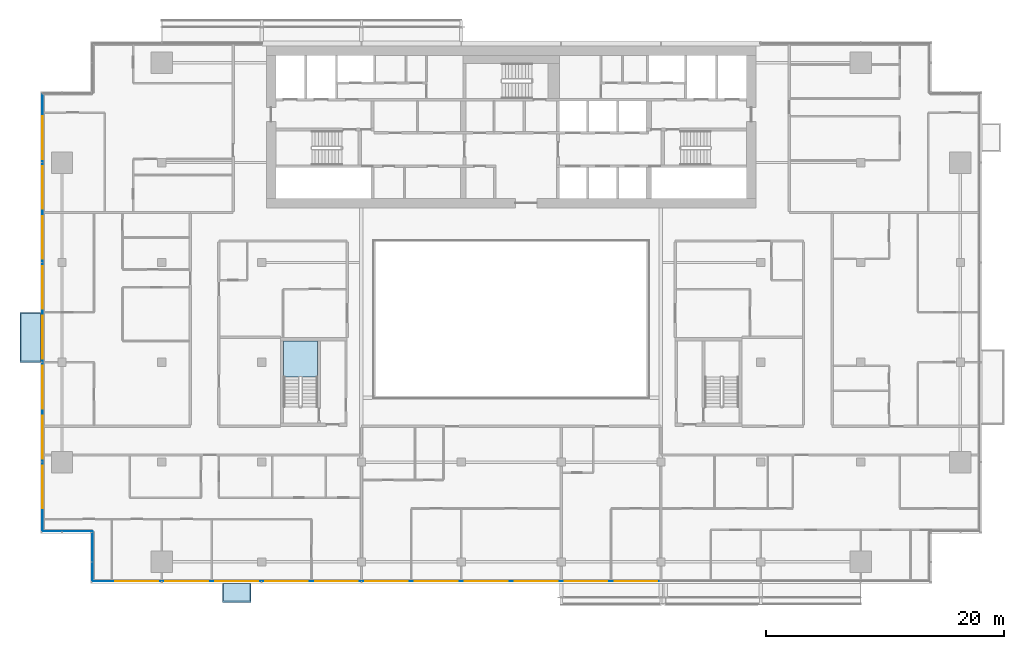
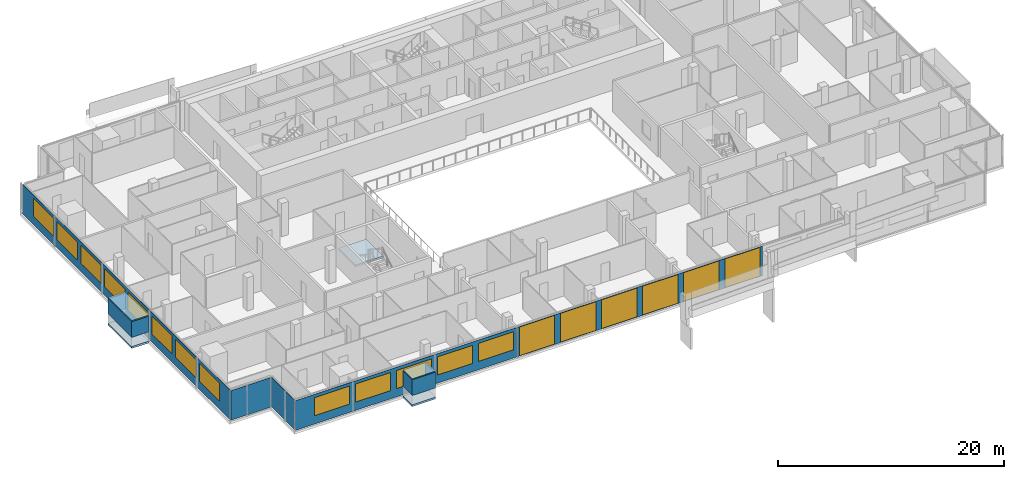
# One storey, part 14 of 28: 19 windows, 9 plates, 3 slabs, 19 openings, 5 elements without a shape of their own.
"""IFC4 building model written with IfcOpenShell, lengths in metres."""

import ifcopenshell
import ifcopenshell.guid

model = None  # the IFC model being written
_history = None  # IfcOwnerHistory: only IFC2X3 demands one
_inside = {}  # id of a spatial element -> (the spatial element, [elements in it])
_under = {}  # id of a project, library or spatial element -> (it, [spatial elements below it])
_declared = {}  # id of a project -> (the project, [libraries it declares])
_typed = {}  # id of a type object -> (the type object, [elements of that type])
_made_of = {}  # id of a material, layer set ... -> (it, [elements and type objects made of it])


def new_model(schema):
    """Start an empty IFC model of exactly this schema.

    Asked for "IFC4X3", IfcOpenShell would pick the latest addendum, in which some entities
    have other attributes; the version numbers below select the first issue.
    IFC2X3 requires an IfcOwnerHistory on every rooted entity: one is made here for all.
    """
    global model, _history
    if schema == "IFC4X3":
        model = ifcopenshell.file(schema_version=(4, 3, 0, 0))
    else:
        model = ifcopenshell.file(schema=schema)
    _inside.clear()
    _under.clear()
    _declared.clear()
    _typed.clear()
    _made_of.clear()
    _history = None
    if model.schema == "IFC2X3":
        org = make("IfcOrganization", Name="unknown")
        user = make(
            "IfcPersonAndOrganization",
            ThePerson=make("IfcPerson", FamilyName="unknown"),
            TheOrganization=org,
        )
        app = make(
            "IfcApplication",
            ApplicationDeveloper=org,
            Version="unknown",
            ApplicationFullName="unknown",
            ApplicationIdentifier="unknown",
        )
        _history = make(
            "IfcOwnerHistory",
            OwningUser=user,
            OwningApplication=app,
            ChangeAction="ADDED",
            CreationDate=0,
        )
    return model


def make(cls, **values):
    """One entity of the class cls with the attributes given. An attribute that is None is left unset."""
    return model.create_entity(
        cls, **{name: value for name, value in values.items() if value is not None}
    )


def rooted(cls, **values):
    """An entity with a GlobalId (a new one), such as an element, a storey or a relation."""
    return make(cls, GlobalId=ifcopenshell.guid.new(), OwnerHistory=_history, **values)


def si_unit(unit_type, name, prefix=None):
    """IfcSIUnit, for example si_unit("LENGTHUNIT", "METRE", prefix="MILLI")."""
    return make("IfcSIUnit", UnitType=unit_type, Prefix=prefix, Name=name)


def assignment(units):
    """IfcUnitAssignment: the units of a project."""
    return None if units is None else make("IfcUnitAssignment", Units=units)


def point(xyz):
    """IfcCartesianPoint."""
    return None if xyz is None else make("IfcCartesianPoint", Coordinates=xyz)


def direction(xyz):
    """IfcDirection."""
    return None if xyz is None else make("IfcDirection", DirectionRatios=xyz)


def frame(location, z_axis=None, x_axis=None):
    """IfcAxis2Placement3D, a coordinate frame: its origin and axes. An axis left out is left unset."""
    return make(
        "IfcAxis2Placement3D",
        Location=point(location),
        Axis=direction(z_axis),
        RefDirection=direction(x_axis),
    )


def frame_2d(location, x_axis=None):
    """IfcAxis2Placement2D, a coordinate frame in the plane: its origin and x axis."""
    return make(
        "IfcAxis2Placement2D", Location=point(location), RefDirection=direction(x_axis)
    )


def origin():
    """The frame at (0, 0, 0) with its axes left unset."""
    return frame((0.0, 0.0, 0.0))


def place(relative_to, where):
    """IfcLocalPlacement: puts the frame where relative to a parent placement (None: the world)."""
    return make(
        "IfcLocalPlacement", PlacementRelTo=relative_to, RelativePlacement=where
    )


def context(
    kind, dimensions, precision=None, world=None, true_north=None, identifier=None
):
    """IfcGeometricRepresentationContext, for example the 3D "Model" context."""
    return make(
        "IfcGeometricRepresentationContext",
        ContextIdentifier=identifier,
        ContextType=kind,
        CoordinateSpaceDimension=dimensions,
        Precision=precision,
        WorldCoordinateSystem=world,
        TrueNorth=true_north,
    )


def subcontext(parent, identifier, kind, view, scale=None):
    """IfcGeometricRepresentationSubContext, for example "Body" below "Model"."""
    return make(
        "IfcGeometricRepresentationSubContext",
        ContextIdentifier=identifier,
        ContextType=kind,
        ParentContext=parent,
        TargetScale=scale,
        TargetView=view,
    )


def project(units=None, contexts=None):
    """IfcProject with its units and contexts."""
    return rooted(
        "IfcProject",
        Name="project",
        RepresentationContexts=contexts,
        UnitsInContext=assignment(units),
    )


def spatial(cls, under=None, at=None, **own):
    """A site, building, storey or space (cls), placed at a placement, below another one or the project."""
    s = rooted(cls, ObjectPlacement=at, **own)
    if under is not None:
        _under.setdefault(under.id(), (under, []))[1].append(s)
    return s


def polyline(points):
    """IfcPolyline through the points."""
    return make("IfcPolyline", Points=[point(p) for p in points])


def profile(cls, at=None, kind="AREA", **sizes):
    """A parametric profile (cls). Its sizes go by their IFC names, for example OverallWidth=200.0."""
    return make(cls, ProfileType=kind, Position=at, **sizes)


def rectangle(**sizes):
    """IfcRectangleProfileDef."""
    return profile("IfcRectangleProfileDef", **sizes)


def outline(outer, holes=None, kind="AREA"):
    """IfcArbitraryClosedProfileDef: a profile drawn as a closed curve; with holes, ...WithVoids."""
    if holes is None:
        return make("IfcArbitraryClosedProfileDef", ProfileType=kind, OuterCurve=outer)
    return make(
        "IfcArbitraryProfileDefWithVoids",
        ProfileType=kind,
        OuterCurve=outer,
        InnerCurves=holes,
    )


def extrude(swept, where, along, depth):
    """IfcExtrudedAreaSolid: the profile swept, set in the frame where, extruded along a direction by depth."""
    return make(
        "IfcExtrudedAreaSolid",
        SweptArea=swept,
        Position=where,
        ExtrudedDirection=direction(along),
        Depth=depth,
    )


def shape(context_of_items, identifier, shape_type, items):
    """IfcShapeRepresentation: the items that make up one representation, for example the "Body"."""
    return make(
        "IfcShapeRepresentation",
        ContextOfItems=context_of_items,
        RepresentationIdentifier=identifier,
        RepresentationType=shape_type,
        Items=items,
    )


def material(Name=None, Category=None):
    """IfcMaterial."""
    return make("IfcMaterial", Name=Name, Category=Category)


def layer(
    of_material, thickness, ventilated=None, Name=None, Category=None, Priority=None
):
    """IfcMaterialLayer: one layer of a wall or slab, of a material (None: an air gap)."""
    return make(
        "IfcMaterialLayer",
        Material=of_material,
        LayerThickness=thickness,
        IsVentilated=ventilated,
        Name=Name,
        Category=Category,
        Priority=Priority,
    )


def layer_set(layers, Name=None):
    """IfcMaterialLayerSet."""
    return make("IfcMaterialLayerSet", MaterialLayers=layers, LayerSetName=Name)


def made_of(thing, what):
    """Note that an element or type object is made of a material, layer set ...; save() writes the relation."""
    if what is not None:
        _made_of.setdefault(what.id(), (what, []))[1].append(thing)
    return thing


def type_object(cls, material=None, **own):
    """A type object (cls), such as IfcWallType, which elements share."""
    return made_of(rooted(cls, **own), material)


def element(
    cls,
    number,
    at=None,
    inside=None,
    cuts=None,
    type_object=None,
    material=None,
    context=None,
    identifier="Body",
    shape_type=None,
    held_by="IfcProductDefinitionShape",
    body=None,
    shapes=None,
    **own,
):
    """One element of the class cls, such as IfcWall. Its Tag is "e" and its number.

    at: its placement. inside: the storey or other place that contains it. cuts: it is an
    opening in that element (IfcRelVoidsElement). A single representation is given by context,
    identifier, shape_type and body (its items); several are given by shapes. held_by: the class
    of the entity that holds the representations. save() writes the other relations.
    """
    e = rooted(cls, Tag="e%d" % number, ObjectPlacement=at, **own)
    if body is not None:
        shapes = [shape(context, identifier, shape_type, body)]
    if shapes is not None:
        e.Representation = make(held_by, Representations=shapes)
    if inside is not None:
        _inside.setdefault(inside.id(), (inside, []))[1].append(e)
    if cuts is not None:
        rooted(
            "IfcRelVoidsElement", RelatingBuildingElement=cuts, RelatedOpeningElement=e
        )
    if type_object is not None:
        _typed.setdefault(type_object.id(), (type_object, []))[1].append(e)
    return made_of(e, material)


def fill(opening, filler):
    """IfcRelFillsElement: the door or window that sits in an opening."""
    return rooted(
        "IfcRelFillsElement",
        RelatingOpeningElement=opening,
        RelatedBuildingElement=filler,
    )


def aggregate(whole, parts):
    """IfcRelAggregates: a whole, such as a stair, and the parts it consists of."""
    return rooted("IfcRelAggregates", RelatingObject=whole, RelatedObjects=parts)


def save(model, path):
    """Write the relations noted so far, then the file.

    IfcRelAggregates (storeys below a building ...), IfcRelContainedInSpatialStructure (elements
    in a storey), IfcRelDefinesByType, IfcRelAssociatesMaterial and IfcRelDeclares: one each for
    every whole, place, type object, material and project.
    """
    for whole, parts in _under.values():
        aggregate(whole, parts)
    for where, things in _inside.values():
        rooted(
            "IfcRelContainedInSpatialStructure",
            RelatedElements=things,
            RelatingStructure=where,
        )
    for kind, things in _typed.values():
        rooted("IfcRelDefinesByType", RelatedObjects=things, RelatingType=kind)
    for what, things in _made_of.values():
        rooted("IfcRelAssociatesMaterial", RelatedObjects=things, RelatingMaterial=what)
    for by, libraries in _declared.values():
        rooted("IfcRelDeclares", RelatingContext=by, RelatedDefinitions=libraries)
    model.write(path)


model = new_model("IFC4")

# Units and contexts
model_context = context("Model", 3, precision=1e-05, world=origin(), true_north=direction((0.0, 1.0)))
body_context = subcontext(model_context, "Body", "Model", "MODEL_VIEW")
ifc_project = project(units=[si_unit("LENGTHUNIT", "METRE"), si_unit("AREAUNIT", "SQUARE_METRE"), si_unit("VOLUMEUNIT", "CUBIC_METRE"), si_unit("PLANEANGLEUNIT", "RADIAN"), si_unit("MASSUNIT", "GRAM", prefix="KILO")], contexts=[model_context])

# Site, building, storey
site_placement = place(None, origin())
site = spatial("IfcSite", under=ifc_project, at=site_placement, CompositionType="ELEMENT")
building_placement = place(site_placement, origin())
building = spatial("IfcBuilding", under=site, at=building_placement, Name="Saffron Gate Tower", CompositionType="ELEMENT")
storey_placement = place(building_placement, frame((0.0, 0.0, 176.25)))
storey = spatial("IfcBuildingStorey", under=building, at=storey_placement, Name="L43", CompositionType="ELEMENT", Elevation=176.25)

# Curtain wall, plates, openings, windows
ifc_material_1 = material(Name="Aluminium, bronze anodised", Category="aluminium")
curtain_wall_type_1 = type_object("IfcCurtainWallType", Name="CWS1 curtain wall front facade", PredefinedType="NOTDEFINED", material=ifc_material_1)
curtain_wall_1_placement = place(storey_placement, origin())
curtain_wall_1 = element("IfcCurtainWall", 1, at=curtain_wall_1_placement, inside=storey, type_object=curtain_wall_type_1, Name="CWS1 run 1", PredefinedType="NOTDEFINED")
ifc_material_2 = material(Name="Clear low-iron laminated glass", Category="glass")
ifc_layer_1 = layer(ifc_material_2, 0.028076171875)
ifc_layer_set_1 = layer_set([ifc_layer_1], Name="CWS1 clear glass")
plate_type_1 = type_object("IfcPlateType", Name="CWS1 clear glass", PredefinedType="CURTAIN_PANEL", material=ifc_layer_set_1)
plate_1_placement = place(storey_placement, frame((75.030029296875, 30.174072265625, 0.0), z_axis=(0.0, 0.0, 1.0), x_axis=(1.0, 0.0, 0.0)))
plate_1 = element("IfcPlate", 2, at=plate_1_placement, type_object=plate_type_1, Name="CWS1 clear glass panel", PredefinedType="CURTAIN_PANEL", context=body_context, shape_type="SweptSolid", body=[
    extrude(rectangle(XDim=25.139892578125, YDim=0.028076171875, at=frame_2d((12.56982421875, 0.0))), origin(), (0.0, 0.0, 1.0), 3.199951171875),
])
opening_1_placement = place(plate_1_placement, frame((0.27001953125, 0.0, 0.050048828125)))
opening_1 = element("IfcOpeningElement", 3, at=opening_1_placement, cuts=plate_1, Name="Opening WA", PredefinedType="OPENING", context=body_context, shape_type="SweptSolid", body=[
    extrude(rectangle(XDim=3.60009765625, YDim=3.10009765625, at=frame_2d((1.800048828125, 1.550048828125))), frame((0.0, 0.02392578125, 0.0), z_axis=(0.0, -1.0, 0.0), x_axis=(1.0, 0.0, 0.0)), (0.0, 0.0, 1.0), 0.048095703125),
])
opening_2_placement = place(plate_1_placement, frame((4.469970703125, 0.0, 0.050048828125)))
opening_2 = element("IfcOpeningElement", 4, at=opening_2_placement, cuts=plate_1, Name="Opening WA", PredefinedType="OPENING", context=body_context, shape_type="SweptSolid", body=[
    extrude(rectangle(XDim=3.60009765625, YDim=3.10009765625, at=frame_2d((1.800048828125, 1.550048828125))), frame((0.0, 0.02392578125, 0.0), z_axis=(0.0, -1.0, 0.0), x_axis=(1.0, 0.0, 0.0)), (0.0, 0.0, 1.0), 0.048095703125),
])
opening_3_placement = place(plate_1_placement, frame((8.669921875, 0.0, 0.050048828125)))
opening_3 = element("IfcOpeningElement", 5, at=opening_3_placement, cuts=plate_1, Name="Opening WA", PredefinedType="OPENING", context=body_context, shape_type="SweptSolid", body=[
    extrude(rectangle(XDim=3.60009765625, YDim=3.10009765625, at=frame_2d((1.800048828125, 1.550048828125))), frame((0.0, 0.02392578125, 0.0), z_axis=(0.0, -1.0, 0.0), x_axis=(1.0, 0.0, 0.0)), (0.0, 0.0, 1.0), 0.048095703125),
])
opening_4_placement = place(plate_1_placement, frame((12.8701171875, 0.0, 0.050048828125)))
opening_4 = element("IfcOpeningElement", 6, at=opening_4_placement, cuts=plate_1, Name="Opening WA", PredefinedType="OPENING", context=body_context, shape_type="SweptSolid", body=[
    extrude(rectangle(XDim=3.60009765625, YDim=3.10009765625, at=frame_2d((1.800048828125, 1.550048828125))), frame((0.0, 0.02392578125, 0.0), z_axis=(0.0, -1.0, 0.0), x_axis=(1.0, 0.0, 0.0)), (0.0, 0.0, 1.0), 0.048095703125),
])
opening_5_placement = place(plate_1_placement, frame((17.070068359375, 0.0, 0.050048828125)))
opening_5 = element("IfcOpeningElement", 7, at=opening_5_placement, cuts=plate_1, Name="Opening WA", PredefinedType="OPENING", context=body_context, shape_type="SweptSolid", body=[
    extrude(rectangle(XDim=3.60009765625, YDim=3.10009765625, at=frame_2d((1.800048828125, 1.550048828125))), frame((0.0, 0.02392578125, 0.0), z_axis=(0.0, -1.0, 0.0), x_axis=(1.0, 0.0, 0.0)), (0.0, 0.0, 1.0), 0.048095703125),
])
opening_6_placement = place(plate_1_placement, frame((21.27001953125, 0.0, 0.050048828125)))
opening_6 = element("IfcOpeningElement", 8, at=opening_6_placement, cuts=plate_1, Name="Opening WA", PredefinedType="OPENING", context=body_context, shape_type="SweptSolid", body=[
    extrude(rectangle(XDim=3.60009765625, YDim=3.10009765625, at=frame_2d((1.800048828125, 1.550048828125))), frame((0.0, 0.02392578125, 0.0), z_axis=(0.0, -1.0, 0.0), x_axis=(1.0, 0.0, 0.0)), (0.0, 0.0, 1.0), 0.048095703125),
])
ifc_material_3 = material(Name="Clear low-iron laminated glass in bronze frame", Category="glass")
ifc_layer_2 = layer(ifc_material_3, 0.06005859375)
ifc_layer_set_2 = layer_set([ifc_layer_2], Name="WA operable atrium unit 3600x3100")
window_type_1 = type_object("IfcWindowType", Name="WA operable atrium unit 3600x3100", PartitioningType="DOUBLE_PANEL_HORIZONTAL", PredefinedType="WINDOW", material=ifc_layer_set_2)
window_1_placement = place(opening_1_placement, origin())
window_1 = element("IfcWindow", 9, at=window_1_placement, type_object=window_type_1, Name="WA operable atrium unit", OverallHeight=3.10009765625, OverallWidth=3.60009765625, PartitioningType="SINGLE_PANEL", PredefinedType="WINDOW", context=body_context, shape_type="SweptSolid", body=[
    extrude(rectangle(XDim=3.60009765625, YDim=3.10009765625, at=frame_2d((1.800048828125, 1.550048828125))), frame((0.0, 0.013671875, 0.0), z_axis=(0.0, -1.0, 0.0), x_axis=(1.0, 0.0, 0.0)), (0.0, 0.0, 1.0), 0.027587890625),
])
fill(opening_1, window_1)
window_2_placement = place(opening_2_placement, origin())
window_2 = element("IfcWindow", 10, at=window_2_placement, type_object=window_type_1, Name="WA operable atrium unit", OverallHeight=3.10009765625, OverallWidth=3.60009765625, PartitioningType="SINGLE_PANEL", PredefinedType="WINDOW", context=body_context, shape_type="SweptSolid", body=[
    extrude(rectangle(XDim=3.60009765625, YDim=3.10009765625, at=frame_2d((1.800048828125, 1.550048828125))), frame((0.0, 0.013671875, 0.0), z_axis=(0.0, -1.0, 0.0), x_axis=(1.0, 0.0, 0.0)), (0.0, 0.0, 1.0), 0.027587890625),
])
fill(opening_2, window_2)
window_3_placement = place(opening_3_placement, origin())
window_3 = element("IfcWindow", 11, at=window_3_placement, type_object=window_type_1, Name="WA operable atrium unit", OverallHeight=3.10009765625, OverallWidth=3.60009765625, PartitioningType="SINGLE_PANEL", PredefinedType="WINDOW", context=body_context, shape_type="SweptSolid", body=[
    extrude(rectangle(XDim=3.60009765625, YDim=3.10009765625, at=frame_2d((1.800048828125, 1.550048828125))), frame((0.0, 0.013671875, 0.0), z_axis=(0.0, -1.0, 0.0), x_axis=(1.0, 0.0, 0.0)), (0.0, 0.0, 1.0), 0.027587890625),
])
fill(opening_3, window_3)
window_4_placement = place(opening_4_placement, origin())
window_4 = element("IfcWindow", 12, at=window_4_placement, type_object=window_type_1, Name="WA operable atrium unit", OverallHeight=3.10009765625, OverallWidth=3.60009765625, PartitioningType="SINGLE_PANEL", PredefinedType="WINDOW", context=body_context, shape_type="SweptSolid", body=[
    extrude(rectangle(XDim=3.60009765625, YDim=3.10009765625, at=frame_2d((1.800048828125, 1.550048828125))), frame((0.0, 0.013671875, 0.0), z_axis=(0.0, -1.0, 0.0), x_axis=(1.0, 0.0, 0.0)), (0.0, 0.0, 1.0), 0.027587890625),
])
fill(opening_4, window_4)
window_5_placement = place(opening_5_placement, origin())
window_5 = element("IfcWindow", 13, at=window_5_placement, type_object=window_type_1, Name="WA operable atrium unit", OverallHeight=3.10009765625, OverallWidth=3.60009765625, PartitioningType="SINGLE_PANEL", PredefinedType="WINDOW", context=body_context, shape_type="SweptSolid", body=[
    extrude(rectangle(XDim=3.60009765625, YDim=3.10009765625, at=frame_2d((1.800048828125, 1.550048828125))), frame((0.0, 0.013671875, 0.0), z_axis=(0.0, -1.0, 0.0), x_axis=(1.0, 0.0, 0.0)), (0.0, 0.0, 1.0), 0.027587890625),
])
fill(opening_5, window_5)
window_6_placement = place(opening_6_placement, origin())
window_6 = element("IfcWindow", 14, at=window_6_placement, type_object=window_type_1, Name="WA operable atrium unit", OverallHeight=3.10009765625, OverallWidth=3.60009765625, PartitioningType="SINGLE_PANEL", PredefinedType="WINDOW", context=body_context, shape_type="SweptSolid", body=[
    extrude(rectangle(XDim=3.60009765625, YDim=3.10009765625, at=frame_2d((1.800048828125, 1.550048828125))), frame((0.0, 0.013671875, 0.0), z_axis=(0.0, -1.0, 0.0), x_axis=(1.0, 0.0, 0.0)), (0.0, 0.0, 1.0), 0.027587890625),
])
fill(opening_6, window_6)
ifc_material_4 = material(Name="Fritted bronze-tinted laminated glass", Category="glass")
ifc_layer_3 = layer(ifc_material_4, 0.028076171875)
ifc_layer_set_3 = layer_set([ifc_layer_3], Name="CWS1 fixed glass")
plate_type_2 = type_object("IfcPlateType", Name="CWS1 fixed glass", PredefinedType="CURTAIN_PANEL", material=ifc_layer_set_3)
plate_2_placement = place(storey_placement, frame((52.387939453125, 30.174072265625, 0.0), z_axis=(0.0, 0.0, 1.0), x_axis=(1.0, 0.0, 0.0)))
plate_2 = element("IfcPlate", 15, at=plate_2_placement, type_object=plate_type_2, Name="CWS1 glass panel", PredefinedType="CURTAIN_PANEL", context=body_context, shape_type="SweptSolid", body=[
    extrude(rectangle(XDim=22.64208984375, YDim=0.028076171875, at=frame_2d((11.321044921875, 0.0))), origin(), (0.0, 0.0, 1.0), 3.199951171875),
])
opening_7_placement = place(plate_2_placement, frame((1.912109375, 0.0, 0.89990234375)))
opening_7 = element("IfcOpeningElement", 16, at=opening_7_placement, cuts=plate_2, Name="Opening W1", PredefinedType="OPENING", context=body_context, shape_type="SweptSolid", body=[
    extrude(rectangle(XDim=3.60009765625, YDim=1.949951171875, at=frame_2d((1.800048828125, 0.97509765625))), frame((0.0, 0.02392578125, 0.0), z_axis=(0.0, -1.0, 0.0), x_axis=(1.0, 0.0, 0.0)), (0.0, 0.0, 1.0), 0.048095703125),
])
opening_8_placement = place(plate_2_placement, frame((6.112060546875, 0.0, 0.89990234375)))
opening_8 = element("IfcOpeningElement", 17, at=opening_8_placement, cuts=plate_2, Name="Opening W1", PredefinedType="OPENING", context=body_context, shape_type="SweptSolid", body=[
    extrude(rectangle(XDim=3.60009765625, YDim=1.949951171875, at=frame_2d((1.800048828125, 0.97509765625))), frame((0.0, 0.02392578125, 0.0), z_axis=(0.0, -1.0, 0.0), x_axis=(1.0, 0.0, 0.0)), (0.0, 0.0, 1.0), 0.048095703125),
])
opening_9_placement = place(plate_2_placement, frame((10.31201171875, 0.0, 0.89990234375)))
opening_9 = element("IfcOpeningElement", 18, at=opening_9_placement, cuts=plate_2, Name="Opening W1", PredefinedType="OPENING", context=body_context, shape_type="SweptSolid", body=[
    extrude(rectangle(XDim=3.60009765625, YDim=1.949951171875, at=frame_2d((1.800048828125, 0.97509765625))), frame((0.0, 0.02392578125, 0.0), z_axis=(0.0, -1.0, 0.0), x_axis=(1.0, 0.0, 0.0)), (0.0, 0.0, 1.0), 0.048095703125),
])
opening_10_placement = place(plate_2_placement, frame((14.511962890625, 0.0, 0.89990234375)))
opening_10 = element("IfcOpeningElement", 19, at=opening_10_placement, cuts=plate_2, Name="Opening W1", PredefinedType="OPENING", context=body_context, shape_type="SweptSolid", body=[
    extrude(rectangle(XDim=3.60009765625, YDim=1.949951171875, at=frame_2d((1.800048828125, 0.97509765625))), frame((0.0, 0.02392578125, 0.0), z_axis=(0.0, -1.0, 0.0), x_axis=(1.0, 0.0, 0.0)), (0.0, 0.0, 1.0), 0.048095703125),
])
opening_11_placement = place(plate_2_placement, frame((18.7119140625, 0.0, 0.89990234375)))
opening_11 = element("IfcOpeningElement", 20, at=opening_11_placement, cuts=plate_2, Name="Opening W1", PredefinedType="OPENING", context=body_context, shape_type="SweptSolid", body=[
    extrude(rectangle(XDim=3.60009765625, YDim=1.949951171875, at=frame_2d((1.800048828125, 0.97509765625))), frame((0.0, 0.02392578125, 0.0), z_axis=(0.0, -1.0, 0.0), x_axis=(1.0, 0.0, 0.0)), (0.0, 0.0, 1.0), 0.048095703125),
])
ifc_material_5 = material(Name="Fritted bronze-tinted laminated glass in bronze frame", Category="glass")
ifc_layer_4 = layer(ifc_material_5, 0.06005859375)
ifc_layer_set_4 = layer_set([ifc_layer_4], Name="W1 operable panel 3600x1950")
window_type_2 = type_object("IfcWindowType", Name="W1 operable panel 3600x1950", PartitioningType="DOUBLE_PANEL_HORIZONTAL", PredefinedType="WINDOW", material=ifc_layer_set_4)
window_7_placement = place(opening_7_placement, origin())
window_7 = element("IfcWindow", 21, at=window_7_placement, type_object=window_type_2, Name="W1 operable panel", OverallHeight=1.949951171875, OverallWidth=3.60009765625, PartitioningType="SINGLE_PANEL", PredefinedType="WINDOW", context=body_context, shape_type="SweptSolid", body=[
    extrude(rectangle(XDim=3.60009765625, YDim=1.949951171875, at=frame_2d((1.800048828125, 0.97509765625))), frame((0.0, 0.013671875, 0.0), z_axis=(0.0, -1.0, 0.0), x_axis=(1.0, 0.0, 0.0)), (0.0, 0.0, 1.0), 0.027587890625),
])
fill(opening_7, window_7)
window_8_placement = place(opening_8_placement, origin())
window_8 = element("IfcWindow", 22, at=window_8_placement, type_object=window_type_2, Name="W1 operable panel", OverallHeight=1.949951171875, OverallWidth=3.60009765625, PartitioningType="SINGLE_PANEL", PredefinedType="WINDOW", context=body_context, shape_type="SweptSolid", body=[
    extrude(rectangle(XDim=3.60009765625, YDim=1.949951171875, at=frame_2d((1.800048828125, 0.97509765625))), frame((0.0, 0.013671875, 0.0), z_axis=(0.0, -1.0, 0.0), x_axis=(1.0, 0.0, 0.0)), (0.0, 0.0, 1.0), 0.027587890625),
])
fill(opening_8, window_8)
window_9_placement = place(opening_9_placement, origin())
window_9 = element("IfcWindow", 23, at=window_9_placement, type_object=window_type_2, Name="W1 operable panel", OverallHeight=1.949951171875, OverallWidth=3.60009765625, PartitioningType="SINGLE_PANEL", PredefinedType="WINDOW", context=body_context, shape_type="SweptSolid", body=[
    extrude(rectangle(XDim=3.60009765625, YDim=1.949951171875, at=frame_2d((1.800048828125, 0.97509765625))), frame((0.0, 0.013671875, 0.0), z_axis=(0.0, -1.0, 0.0), x_axis=(1.0, 0.0, 0.0)), (0.0, 0.0, 1.0), 0.027587890625),
])
fill(opening_9, window_9)
window_10_placement = place(opening_10_placement, origin())
window_10 = element("IfcWindow", 24, at=window_10_placement, type_object=window_type_2, Name="W1 operable panel", OverallHeight=1.949951171875, OverallWidth=3.60009765625, PartitioningType="SINGLE_PANEL", PredefinedType="WINDOW", context=body_context, shape_type="SweptSolid", body=[
    extrude(rectangle(XDim=3.60009765625, YDim=1.949951171875, at=frame_2d((1.800048828125, 0.97509765625))), frame((0.0, 0.013671875, 0.0), z_axis=(0.0, -1.0, 0.0), x_axis=(1.0, 0.0, 0.0)), (0.0, 0.0, 1.0), 0.027587890625),
])
fill(opening_10, window_10)
window_11_placement = place(opening_11_placement, origin())
window_11 = element("IfcWindow", 25, at=window_11_placement, type_object=window_type_2, Name="W1 operable panel", OverallHeight=1.949951171875, OverallWidth=3.60009765625, PartitioningType="SINGLE_PANEL", PredefinedType="WINDOW", context=body_context, shape_type="SweptSolid", body=[
    extrude(rectangle(XDim=3.60009765625, YDim=1.949951171875, at=frame_2d((1.800048828125, 0.97509765625))), frame((0.0, 0.013671875, 0.0), z_axis=(0.0, -1.0, 0.0), x_axis=(1.0, 0.0, 0.0)), (0.0, 0.0, 1.0), 0.027587890625),
])
fill(opening_11, window_11)
aggregate(curtain_wall_1, [plate_2, plate_1, window_7, window_8, window_9, window_10, window_11, window_1, window_2, window_3, window_4, window_5, window_6])

# Curtain wall, plate, openings, windows
curtain_wall_type_2 = type_object("IfcCurtainWallType", Name="CWS2 curtain wall side facades", PredefinedType="NOTDEFINED", material=ifc_material_1)
curtain_wall_2_placement = place(storey_placement, origin())
curtain_wall_2 = element("IfcCurtainWall", 26, at=curtain_wall_2_placement, inside=storey, type_object=curtain_wall_type_2, Name="CWS2 run 10", PredefinedType="NOTDEFINED")
ifc_layer_5 = layer(ifc_material_4, 0.028076171875)
ifc_layer_set_5 = layer_set([ifc_layer_5], Name="CWS2 fixed glass")
plate_type_3 = type_object("IfcPlateType", Name="CWS2 fixed glass", PredefinedType="CURTAIN_PANEL", material=ifc_layer_set_5)
plate_3_placement = place(storey_placement, frame((48.174072265625, 71.2119140625, 0.0), z_axis=(0.0, 0.0, 1.0), x_axis=(0.0, -1.0, 0.0)))
plate_3 = element("IfcPlate", 27, at=plate_3_placement, type_object=plate_type_3, Name="CWS2 glass panel", PredefinedType="CURTAIN_PANEL", context=body_context, shape_type="SweptSolid", body=[
    extrude(rectangle(XDim=36.823974609375, YDim=0.028076171875, at=frame_2d((18.412109375, 0.0))), origin(), (0.0, 0.0, 1.0), 3.199951171875),
])
opening_12_placement = place(plate_3_placement, frame((1.912109375, 0.0, 0.89990234375)))
opening_12 = element("IfcOpeningElement", 28, at=opening_12_placement, cuts=plate_3, Name="Opening W1", PredefinedType="OPENING", context=body_context, shape_type="SweptSolid", body=[
    extrude(rectangle(XDim=3.60009765625, YDim=1.949951171875, at=frame_2d((1.800048828125, 0.97509765625))), frame((0.0, 0.02392578125, 0.0), z_axis=(0.0, -1.0, 0.0), x_axis=(1.0, 0.0, 0.0)), (0.0, 0.0, 1.0), 0.048095703125),
])
opening_13_placement = place(plate_3_placement, frame((6.112060546875, 0.0, 0.89990234375)))
opening_13 = element("IfcOpeningElement", 29, at=opening_13_placement, cuts=plate_3, Name="Opening W1", PredefinedType="OPENING", context=body_context, shape_type="SweptSolid", body=[
    extrude(rectangle(XDim=3.60009765625, YDim=1.949951171875, at=frame_2d((1.800048828125, 0.97509765625))), frame((0.0, 0.02392578125, 0.0), z_axis=(0.0, -1.0, 0.0), x_axis=(1.0, 0.0, 0.0)), (0.0, 0.0, 1.0), 0.048095703125),
])
opening_14_placement = place(plate_3_placement, frame((10.31201171875, 0.0, 0.89990234375)))
opening_14 = element("IfcOpeningElement", 30, at=opening_14_placement, cuts=plate_3, Name="Opening W1", PredefinedType="OPENING", context=body_context, shape_type="SweptSolid", body=[
    extrude(rectangle(XDim=3.60009765625, YDim=1.949951171875, at=frame_2d((1.800048828125, 0.97509765625))), frame((0.0, 0.02392578125, 0.0), z_axis=(0.0, -1.0, 0.0), x_axis=(1.0, 0.0, 0.0)), (0.0, 0.0, 1.0), 0.048095703125),
])
opening_15_placement = place(plate_3_placement, frame((14.511962890625, 0.0, 0.89990234375)))
opening_15 = element("IfcOpeningElement", 31, at=opening_15_placement, cuts=plate_3, Name="Opening W1", PredefinedType="OPENING", context=body_context, shape_type="SweptSolid", body=[
    extrude(rectangle(XDim=3.60009765625, YDim=1.949951171875, at=frame_2d((1.800048828125, 0.97509765625))), frame((0.0, 0.02392578125, 0.0), z_axis=(0.0, -1.0, 0.0), x_axis=(1.0, 0.0, 0.0)), (0.0, 0.0, 1.0), 0.048095703125),
])
opening_16_placement = place(plate_3_placement, frame((18.7119140625, 0.0, 0.89990234375)))
opening_16 = element("IfcOpeningElement", 32, at=opening_16_placement, cuts=plate_3, Name="Opening W1", PredefinedType="OPENING", context=body_context, shape_type="SweptSolid", body=[
    extrude(rectangle(XDim=3.60009765625, YDim=1.949951171875, at=frame_2d((1.800048828125, 0.97509765625))), frame((0.0, 0.02392578125, 0.0), z_axis=(0.0, -1.0, 0.0), x_axis=(1.0, 0.0, 0.0)), (0.0, 0.0, 1.0), 0.048095703125),
])
opening_17_placement = place(plate_3_placement, frame((22.912109375, 0.0, 0.89990234375)))
opening_17 = element("IfcOpeningElement", 33, at=opening_17_placement, cuts=plate_3, Name="Opening W1", PredefinedType="OPENING", context=body_context, shape_type="SweptSolid", body=[
    extrude(rectangle(XDim=3.60009765625, YDim=1.949951171875, at=frame_2d((1.800048828125, 0.97509765625))), frame((0.0, 0.02392578125, 0.0), z_axis=(0.0, -1.0, 0.0), x_axis=(1.0, 0.0, 0.0)), (0.0, 0.0, 1.0), 0.048095703125),
])
opening_18_placement = place(plate_3_placement, frame((27.112060546875, 0.0, 0.89990234375)))
opening_18 = element("IfcOpeningElement", 34, at=opening_18_placement, cuts=plate_3, Name="Opening W1", PredefinedType="OPENING", context=body_context, shape_type="SweptSolid", body=[
    extrude(rectangle(XDim=3.60009765625, YDim=1.949951171875, at=frame_2d((1.800048828125, 0.97509765625))), frame((0.0, 0.02392578125, 0.0), z_axis=(0.0, -1.0, 0.0), x_axis=(1.0, 0.0, 0.0)), (0.0, 0.0, 1.0), 0.048095703125),
])
opening_19_placement = place(plate_3_placement, frame((31.31201171875, 0.0, 0.89990234375)))
opening_19 = element("IfcOpeningElement", 35, at=opening_19_placement, cuts=plate_3, Name="Opening W1", PredefinedType="OPENING", context=body_context, shape_type="SweptSolid", body=[
    extrude(rectangle(XDim=3.60009765625, YDim=1.949951171875, at=frame_2d((1.800048828125, 0.97509765625))), frame((0.0, 0.02392578125, 0.0), z_axis=(0.0, -1.0, 0.0), x_axis=(1.0, 0.0, 0.0)), (0.0, 0.0, 1.0), 0.048095703125),
])
window_12_placement = place(opening_12_placement, origin())
window_12 = element("IfcWindow", 36, at=window_12_placement, type_object=window_type_2, Name="W1 operable panel", OverallHeight=1.949951171875, OverallWidth=3.60009765625, PartitioningType="SINGLE_PANEL", PredefinedType="WINDOW", context=body_context, shape_type="SweptSolid", body=[
    extrude(rectangle(XDim=3.60009765625, YDim=1.949951171875, at=frame_2d((1.800048828125, 0.97509765625))), frame((0.0, 0.013671875, 0.0), z_axis=(0.0, -1.0, 0.0), x_axis=(1.0, 0.0, 0.0)), (0.0, 0.0, 1.0), 0.027587890625),
])
fill(opening_12, window_12)
window_13_placement = place(opening_13_placement, origin())
window_13 = element("IfcWindow", 37, at=window_13_placement, type_object=window_type_2, Name="W1 operable panel", OverallHeight=1.949951171875, OverallWidth=3.60009765625, PartitioningType="SINGLE_PANEL", PredefinedType="WINDOW", context=body_context, shape_type="SweptSolid", body=[
    extrude(rectangle(XDim=3.60009765625, YDim=1.949951171875, at=frame_2d((1.800048828125, 0.97509765625))), frame((0.0, 0.013671875, 0.0), z_axis=(0.0, -1.0, 0.0), x_axis=(1.0, 0.0, 0.0)), (0.0, 0.0, 1.0), 0.027587890625),
])
fill(opening_13, window_13)
window_14_placement = place(opening_14_placement, origin())
window_14 = element("IfcWindow", 38, at=window_14_placement, type_object=window_type_2, Name="W1 operable panel", OverallHeight=1.949951171875, OverallWidth=3.60009765625, PartitioningType="SINGLE_PANEL", PredefinedType="WINDOW", context=body_context, shape_type="SweptSolid", body=[
    extrude(rectangle(XDim=3.60009765625, YDim=1.949951171875, at=frame_2d((1.800048828125, 0.97509765625))), frame((0.0, 0.013671875, 0.0), z_axis=(0.0, -1.0, 0.0), x_axis=(1.0, 0.0, 0.0)), (0.0, 0.0, 1.0), 0.027587890625),
])
fill(opening_14, window_14)
window_15_placement = place(opening_15_placement, origin())
window_15 = element("IfcWindow", 39, at=window_15_placement, type_object=window_type_2, Name="W1 operable panel", OverallHeight=1.949951171875, OverallWidth=3.60009765625, PartitioningType="SINGLE_PANEL", PredefinedType="WINDOW", context=body_context, shape_type="SweptSolid", body=[
    extrude(rectangle(XDim=3.60009765625, YDim=1.949951171875, at=frame_2d((1.800048828125, 0.97509765625))), frame((0.0, 0.013671875, 0.0), z_axis=(0.0, -1.0, 0.0), x_axis=(1.0, 0.0, 0.0)), (0.0, 0.0, 1.0), 0.027587890625),
])
fill(opening_15, window_15)
window_16_placement = place(opening_16_placement, origin())
window_16 = element("IfcWindow", 40, at=window_16_placement, type_object=window_type_2, Name="W1 operable panel", OverallHeight=1.949951171875, OverallWidth=3.60009765625, PartitioningType="SINGLE_PANEL", PredefinedType="WINDOW", context=body_context, shape_type="SweptSolid", body=[
    extrude(rectangle(XDim=3.60009765625, YDim=1.949951171875, at=frame_2d((1.800048828125, 0.97509765625))), frame((0.0, 0.013671875, 0.0), z_axis=(0.0, -1.0, 0.0), x_axis=(1.0, 0.0, 0.0)), (0.0, 0.0, 1.0), 0.027587890625),
])
fill(opening_16, window_16)
window_17_placement = place(opening_17_placement, origin())
window_17 = element("IfcWindow", 41, at=window_17_placement, type_object=window_type_2, Name="W1 operable panel", OverallHeight=1.949951171875, OverallWidth=3.60009765625, PartitioningType="SINGLE_PANEL", PredefinedType="WINDOW", context=body_context, shape_type="SweptSolid", body=[
    extrude(rectangle(XDim=3.60009765625, YDim=1.949951171875, at=frame_2d((1.800048828125, 0.97509765625))), frame((0.0, 0.013671875, 0.0), z_axis=(0.0, -1.0, 0.0), x_axis=(1.0, 0.0, 0.0)), (0.0, 0.0, 1.0), 0.027587890625),
])
fill(opening_17, window_17)
window_18_placement = place(opening_18_placement, origin())
window_18 = element("IfcWindow", 42, at=window_18_placement, type_object=window_type_2, Name="W1 operable panel", OverallHeight=1.949951171875, OverallWidth=3.60009765625, PartitioningType="SINGLE_PANEL", PredefinedType="WINDOW", context=body_context, shape_type="SweptSolid", body=[
    extrude(rectangle(XDim=3.60009765625, YDim=1.949951171875, at=frame_2d((1.800048828125, 0.97509765625))), frame((0.0, 0.013671875, 0.0), z_axis=(0.0, -1.0, 0.0), x_axis=(1.0, 0.0, 0.0)), (0.0, 0.0, 1.0), 0.027587890625),
])
fill(opening_18, window_18)
window_19_placement = place(opening_19_placement, origin())
window_19 = element("IfcWindow", 43, at=window_19_placement, type_object=window_type_2, Name="W1 operable panel", OverallHeight=1.949951171875, OverallWidth=3.60009765625, PartitioningType="SINGLE_PANEL", PredefinedType="WINDOW", context=body_context, shape_type="SweptSolid", body=[
    extrude(rectangle(XDim=3.60009765625, YDim=1.949951171875, at=frame_2d((1.800048828125, 0.97509765625))), frame((0.0, 0.013671875, 0.0), z_axis=(0.0, -1.0, 0.0), x_axis=(1.0, 0.0, 0.0)), (0.0, 0.0, 1.0), 0.027587890625),
])
fill(opening_19, window_19)
aggregate(curtain_wall_2, [plate_3, window_12, window_13, window_14, window_15, window_16, window_17, window_18, window_19])

# Curtain wall, plate
curtain_wall_type_3 = type_object("IfcCurtainWallType", Name="CWS4 curtain wall corner returns", PredefinedType="NOTDEFINED", material=ifc_material_1)
curtain_wall_3_placement = place(storey_placement, origin())
curtain_wall_3 = element("IfcCurtainWall", 44, at=curtain_wall_3_placement, inside=storey, type_object=curtain_wall_type_3, Name="CWS4 run 11", PredefinedType="NOTDEFINED")
ifc_layer_6 = layer(ifc_material_4, 0.028076171875)
ifc_layer_set_6 = layer_set([ifc_layer_6], Name="CWS4 fixed glass")
plate_type_4 = type_object("IfcPlateType", Name="CWS4 fixed glass", PredefinedType="CURTAIN_PANEL", material=ifc_layer_set_6)
plate_4_placement = place(storey_placement, frame((48.18798828125, 34.3740234375, 0.0), z_axis=(0.0, 0.0, 1.0), x_axis=(1.0, 0.0, 0.0)))
plate_4 = element("IfcPlate", 45, at=plate_4_placement, type_object=plate_type_4, Name="CWS4 glass panel", PredefinedType="CURTAIN_PANEL", context=body_context, shape_type="SweptSolid", body=[
    extrude(rectangle(XDim=4.172119140625, YDim=0.028076171875, at=frame_2d((2.0859375, 0.0))), origin(), (0.0, 0.0, 1.0), 3.199951171875),
])
aggregate(curtain_wall_3, [plate_4])

curtain_wall_4_placement = place(storey_placement, origin())
curtain_wall_4 = element("IfcCurtainWall", 46, at=curtain_wall_4_placement, inside=storey, type_object=curtain_wall_type_3, Name="CWS4 run 12", PredefinedType="NOTDEFINED")
plate_5_placement = place(storey_placement, frame((52.3740234375, 34.360107421875, 0.0), z_axis=(0.0, 0.0, 1.0), x_axis=(0.0, -1.0, 0.0)))
plate_5 = element("IfcPlate", 47, at=plate_5_placement, type_object=plate_type_4, Name="CWS4 glass panel", PredefinedType="CURTAIN_PANEL", context=body_context, shape_type="SweptSolid", body=[
    extrude(rectangle(XDim=4.172119140625, YDim=0.028076171875, at=frame_2d((2.0859375, 0.0))), origin(), (0.0, 0.0, 1.0), 3.199951171875),
])
aggregate(curtain_wall_4, [plate_5])

# Stair, slab
ifc_material_6 = material(Name="Concrete C40", Category="concrete")
stair_type = type_object("IfcStairType", Name="ST7 Stair 1350 wide, 20 risers of 180", PredefinedType="HALF_TURN_STAIR", material=ifc_material_6)
stair_placement = place(storey_placement, origin())
stair = element("IfcStair", 48, at=stair_placement, inside=storey, type_object=stair_type, Name="L43 Exit stair D", PredefinedType="HALF_TURN_STAIR")
ifc_layer_7 = layer(ifc_material_6, 0.199951171875)
ifc_layer_set_7 = layer_set([ifc_layer_7], Name="SL1 Stair landing 200")
slab_type_1 = type_object("IfcSlabType", Name="SL1 Stair landing 200", PredefinedType="LANDING", material=ifc_layer_set_7)
slab_1_placement = place(storey_placement, frame((0.0, 0.0, 1.60009765625)))
slab_1 = element("IfcSlab", 49, at=slab_1_placement, type_object=slab_type_1, Name="ST-D landing 1", PredefinedType="LANDING", context=body_context, shape_type="SweptSolid", body=[
    extrude(outline(polyline([(71.300048828125, 47.3701171875), (71.300048828125, 50.39990234375), (68.449951171875, 50.39990234375), (68.449951171875, 47.3701171875), (71.300048828125, 47.3701171875)])), origin(), (0.0, 0.0, 1.0), 0.199951171875),
])
aggregate(stair, [slab_1])

# Slabs
ifc_material_7 = material(Name="Timber deck on bronze frame", Category="wood")
ifc_layer_8 = layer(ifc_material_7, 0.199951171875)
ifc_layer_set_8 = layer_set([ifc_layer_8], Name="WB1 box floor")
slab_type_2 = type_object("IfcSlabType", Name="WB1 box floor", PredefinedType="FLOOR", material=ifc_layer_set_8)
slab_2_placement = place(storey_placement, frame((0.0, 0.0, -0.199951171875)))
element("IfcSlab", 50, at=slab_2_placement, inside=storey, type_object=slab_type_2, Name="WINDOW BOX floor", PredefinedType="FLOOR", context=body_context, shape_type="SweptSolid", body=[
    extrude(outline(polyline([(63.300048828125, 30.0), (65.699951171875, 30.0), (65.699951171875, 28.39990234375), (63.300048828125, 28.39990234375), (63.300048828125, 30.0)])), origin(), (0.0, 0.0, 1.0), 0.199951171875),
])
slab_3_placement = place(storey_placement, frame((0.0, 0.0, -0.199951171875)))
element("IfcSlab", 51, at=slab_3_placement, inside=storey, type_object=slab_type_2, Name="WINDOW BOX floor", PredefinedType="FLOOR", context=body_context, shape_type="SweptSolid", body=[
    extrude(outline(polyline([(48.0, 52.800048828125), (48.0, 48.60009765625), (46.26708984375, 48.60009765625), (46.26708984375, 52.800048828125), (48.0, 52.800048828125)])), origin(), (0.0, 0.0, 1.0), 0.199951171875),
])

# Plates
ifc_layer_9 = layer(ifc_material_1, 0.1201171875)
ifc_layer_set_9 = layer_set([ifc_layer_9], Name="WB2 box roof")
plate_type_5 = type_object("IfcPlateType", Name="WB2 box roof", PredefinedType="SHEET", material=ifc_layer_set_9)
plate_6_placement = place(storey_placement, frame((0.0, 0.0, 2.699951171875)))
element("IfcPlate", 52, at=plate_6_placement, inside=storey, type_object=plate_type_5, Name="WINDOW BOX roof", PredefinedType="SHEET", context=body_context, shape_type="SweptSolid", body=[
    extrude(outline(polyline([(63.300048828125, 30.0), (65.699951171875, 30.0), (65.699951171875, 28.39990234375), (63.300048828125, 28.39990234375), (63.300048828125, 30.0)])), origin(), (0.0, 0.0, 1.0), 0.1201171875),
])
plate_7_placement = place(storey_placement, frame((0.0, 0.0, 2.699951171875)))
element("IfcPlate", 53, at=plate_7_placement, inside=storey, type_object=plate_type_5, Name="WINDOW BOX roof", PredefinedType="SHEET", context=body_context, shape_type="SweptSolid", body=[
    extrude(outline(polyline([(48.0, 52.800048828125), (48.0, 48.60009765625), (46.26708984375, 48.60009765625), (46.26708984375, 52.800048828125), (48.0, 52.800048828125)])), origin(), (0.0, 0.0, 1.0), 0.1201171875),
])
ifc_layer_10 = layer(ifc_material_2, 0.10009765625)
ifc_layer_set_10 = layer_set([ifc_layer_10], Name="WB6 box glazing")
plate_type_6 = type_object("IfcPlateType", Name="WB6 box glazing", PredefinedType="SHEET", material=ifc_layer_set_10)
plate_8_placement = place(storey_placement, frame((0.0, 0.0, 1.0)))
element("IfcPlate", 54, at=plate_8_placement, inside=storey, type_object=plate_type_6, Name="WINDOW BOX glazing", PredefinedType="SHEET", context=body_context, shape_type="SweptSolid", body=[
    extrude(outline(polyline([(63.300048828125, 30.0), (63.39990234375, 30.0), (63.39990234375, 28.5), (65.60009765625, 28.5), (65.60009765625, 30.0), (65.699951171875, 30.0), (65.699951171875, 28.39990234375), (63.300048828125, 28.39990234375), (63.300048828125, 30.0)])), origin(), (0.0, 0.0, 1.0), 1.699951171875),
])
plate_9_placement = place(storey_placement, frame((0.0, 0.0, 1.0)))
element("IfcPlate", 55, at=plate_9_placement, inside=storey, type_object=plate_type_6, Name="WINDOW BOX glazing", PredefinedType="SHEET", context=body_context, shape_type="SweptSolid", body=[
    extrude(outline(polyline([(48.0, 52.800048828125), (48.0, 52.699951171875), (46.366943359375, 52.699951171875), (46.366943359375, 48.699951171875), (48.0, 48.699951171875), (48.0, 48.60009765625), (46.26708984375, 48.60009765625), (46.26708984375, 52.800048828125), (48.0, 52.800048828125)])), origin(), (0.0, 0.0, 1.0), 1.699951171875),
])

save(model, "model.ifc")
